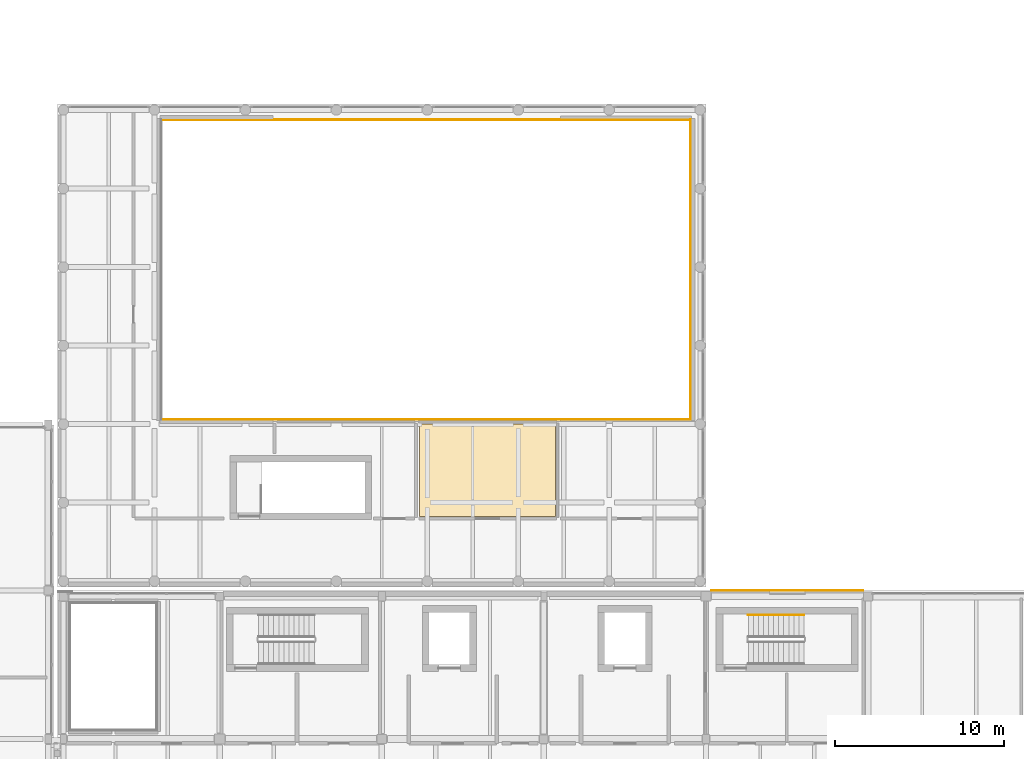
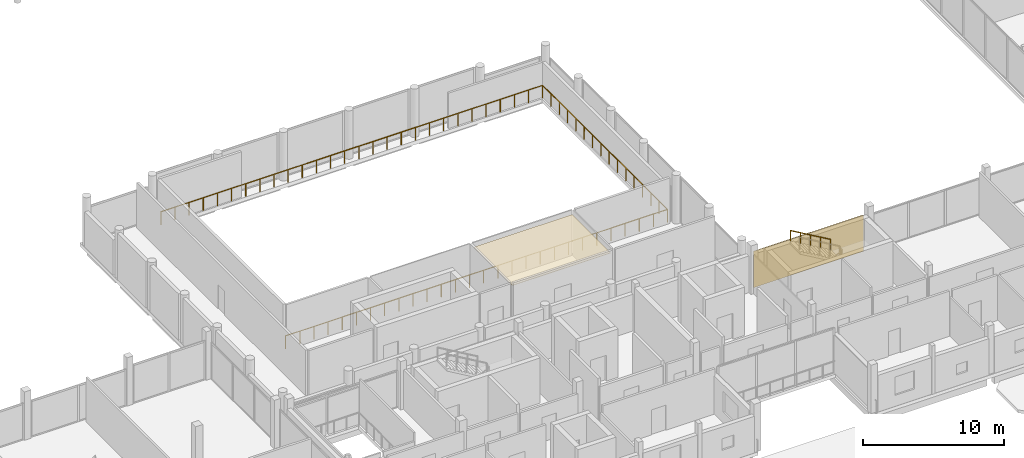
# One storey, part 59 of 66: 4 railings, 2 coverings.
"""IFC4 building model written with IfcOpenShell, lengths in metres."""

from ifc_helpers import new_model, si_unit, direction, frame, origin, origin_2d, place, context, subcontext, project, spatial, polyline, rectangle, circle, outline, extrude, material, layer, layer_set, type_object, element, save


model = new_model("IFC4")

# Units and contexts
model_context = context("Model", 3, precision=1e-05, world=origin(), true_north=direction((0.0, 1.0)))
body_context = subcontext(model_context, "Body", "Model", "MODEL_VIEW")
ifc_project = project(units=[si_unit("LENGTHUNIT", "METRE"), si_unit("AREAUNIT", "SQUARE_METRE"), si_unit("VOLUMEUNIT", "CUBIC_METRE"), si_unit("PLANEANGLEUNIT", "RADIAN"), si_unit("MASSUNIT", "GRAM", prefix="KILO")], contexts=[model_context])

# Site, building, storey
site_placement = place(None, origin())
site = spatial("IfcSite", under=ifc_project, at=site_placement, CompositionType="ELEMENT")
building_placement = place(site_placement, origin())
building = spatial("IfcBuilding", under=site, at=building_placement, Name="Birchvale Park Specialist Clinic", CompositionType="ELEMENT")
storey_placement = place(building_placement, frame((0.0, 0.0, 5.39990234375)))
storey = spatial("IfcBuildingStorey", under=building, at=storey_placement, Name="L01", CompositionType="ELEMENT", Elevation=5.39990234375)

# Coverings
ifc_material_1 = material(Name="Acoustic mineral-fibre wood-wool ceiling", Category="wood")
ifc_layer_1 = layer(ifc_material_1, 0.034912109375)
ifc_layer_set_1 = layer_set([ifc_layer_1], Name="Acoustic mineral-fibre wood-wool ceiling")
covering_type_1 = type_object("IfcCoveringType", Name="COV-CE1", PredefinedType="CEILING", material=ifc_layer_set_1)
covering_1_placement = place(storey_placement, frame((0.0, 0.0, 3.565185546875)))
element("IfcCovering", 1, at=covering_1_placement, inside=storey, type_object=covering_type_1, Name="V1 L01 acoustic clinical ceiling 5", PredefinedType="CEILING", context=body_context, shape_type="SweptSolid", body=[
    extrude(outline(polyline([(73.22998046875, 38.969970703125), (81.294921875, 38.969970703125), (81.294921875, 44.4599609375), (73.22998046875, 44.4599609375), (73.22998046875, 38.969970703125)])), origin(), (0.0, 0.0, 1.0), 0.034912109375),
])
ifc_material_2 = material(Name="Nordic larch vertical rainscreen cladding")
ifc_layer_2 = layer(ifc_material_2, 0.044921875)
ifc_layer_set_2 = layer_set([ifc_layer_2], Name="Nordic larch vertical rainscreen cladding")
covering_type_2 = type_object("IfcCoveringType", Name="COV-CL1", PredefinedType="CLADDING", material=ifc_layer_set_2)
covering_2_placement = place(storey_placement, frame((95.012451171875, 34.6025390625, 0.02001953125), z_axis=(0.0, 0.0, 1.0), x_axis=(-1.0, 0.0, 0.0)))
element("IfcCovering", 2, at=covering_2_placement, inside=storey, type_object=covering_type_2, Name="V4 L01 Nordic larch cladding 11", PredefinedType="CLADDING", context=body_context, shape_type="SweptSolid", body=[
    extrude(rectangle(XDim=9.014892578125, YDim=0.044921875, at=origin_2d()), origin(), (0.0, 0.0, 1.0), 3.14501953125),
])

# Railings
ifc_material_3 = material(Name="Brushed stainless steel and laminated glass balustrade", Category="steel")
railing_type_1 = type_object("IfcRailingType", Name="RL-BAL1", PredefinedType="BALUSTRADE", material=ifc_material_3)
railing_1_placement = place(storey_placement, frame((57.919921875, 44.719970703125, 0.0)))
element("IfcRailing", 3, at=railing_1_placement, inside=storey, type_object=railing_type_1, Name="V1 L01 atrium void balustrade 1", PredefinedType="BALUSTRADE", context=body_context, shape_type="SweptSolid", body=[
    extrude(circle(Radius=0.02392578125, at=origin_2d()), frame((0.0, 0.0, 1.09619140625), z_axis=(1.0, 0.0, 0.0), x_axis=(0.0, 1.0, 0.0)), (0.0, 0.0, 1.0), 31.360107421875),
    extrude(circle(Radius=0.02099609375, at=origin_2d()), origin(), (0.0, 0.0, 1.0), 1.072021484375),
    extrude(circle(Radius=0.02099609375, at=origin_2d()), frame((1.161376953125, 0.0, 0.0)), (0.0, 0.0, 1.0), 1.072021484375),
    extrude(circle(Radius=0.02099609375, at=origin_2d()), frame((2.322998046875, 0.0, 0.0)), (0.0, 0.0, 1.0), 1.072021484375),
    extrude(circle(Radius=0.02099609375, at=origin_2d()), frame((3.484375, 0.0, 0.0)), (0.0, 0.0, 1.0), 1.072021484375),
    extrude(circle(Radius=0.02099609375, at=origin_2d()), frame((4.64599609375, 0.0, 0.0)), (0.0, 0.0, 1.0), 1.072021484375),
    extrude(circle(Radius=0.02099609375, at=origin_2d()), frame((5.807373046875, 0.0, 0.0)), (0.0, 0.0, 1.0), 1.072021484375),
    extrude(circle(Radius=0.02099609375, at=origin_2d()), frame((6.968994140625, 0.0, 0.0)), (0.0, 0.0, 1.0), 1.072021484375),
    extrude(circle(Radius=0.02099609375, at=origin_2d()), frame((8.13037109375, 0.0, 0.0)), (0.0, 0.0, 1.0), 1.072021484375),
    extrude(circle(Radius=0.02099609375, at=origin_2d()), frame((9.2919921875, 0.0, 0.0)), (0.0, 0.0, 1.0), 1.072021484375),
    extrude(circle(Radius=0.02099609375, at=origin_2d()), frame((10.453369140625, 0.0, 0.0)), (0.0, 0.0, 1.0), 1.072021484375),
    extrude(circle(Radius=0.02099609375, at=origin_2d()), frame((11.61474609375, 0.0, 0.0)), (0.0, 0.0, 1.0), 1.072021484375),
    extrude(circle(Radius=0.02099609375, at=origin_2d()), frame((12.7763671875, 0.0, 0.0)), (0.0, 0.0, 1.0), 1.072021484375),
    extrude(circle(Radius=0.02099609375, at=origin_2d()), frame((13.937744140625, 0.0, 0.0)), (0.0, 0.0, 1.0), 1.072021484375),
    extrude(circle(Radius=0.02099609375, at=origin_2d()), frame((15.099365234375, 0.0, 0.0)), (0.0, 0.0, 1.0), 1.072021484375),
    extrude(circle(Radius=0.02099609375, at=origin_2d()), frame((16.2607421875, 0.0, 0.0)), (0.0, 0.0, 1.0), 1.072021484375),
    extrude(circle(Radius=0.02099609375, at=origin_2d()), frame((17.42236328125, 0.0, 0.0)), (0.0, 0.0, 1.0), 1.072021484375),
    extrude(circle(Radius=0.02099609375, at=origin_2d()), frame((18.583740234375, 0.0, 0.0)), (0.0, 0.0, 1.0), 1.072021484375),
    extrude(circle(Radius=0.02099609375, at=origin_2d()), frame((19.745361328125, 0.0, 0.0)), (0.0, 0.0, 1.0), 1.072021484375),
    extrude(circle(Radius=0.02099609375, at=origin_2d()), frame((20.90673828125, 0.0, 0.0)), (0.0, 0.0, 1.0), 1.072021484375),
    extrude(circle(Radius=0.02099609375, at=origin_2d()), frame((22.068115234375, 0.0, 0.0)), (0.0, 0.0, 1.0), 1.072021484375),
    extrude(circle(Radius=0.02099609375, at=origin_2d()), frame((23.229736328125, 0.0, 0.0)), (0.0, 0.0, 1.0), 1.072021484375),
    extrude(circle(Radius=0.02099609375, at=origin_2d()), frame((24.39111328125, 0.0, 0.0)), (0.0, 0.0, 1.0), 1.072021484375),
    extrude(circle(Radius=0.02099609375, at=origin_2d()), frame((25.552734375, 0.0, 0.0)), (0.0, 0.0, 1.0), 1.072021484375),
    extrude(circle(Radius=0.02099609375, at=origin_2d()), frame((26.714111328125, 0.0, 0.0)), (0.0, 0.0, 1.0), 1.072021484375),
    extrude(circle(Radius=0.02099609375, at=origin_2d()), frame((27.875732421875, 0.0, 0.0)), (0.0, 0.0, 1.0), 1.072021484375),
    extrude(circle(Radius=0.02099609375, at=origin_2d()), frame((29.037109375, 0.0, 0.0)), (0.0, 0.0, 1.0), 1.072021484375),
    extrude(circle(Radius=0.02099609375, at=origin_2d()), frame((30.19873046875, 0.0, 0.0)), (0.0, 0.0, 1.0), 1.072021484375),
    extrude(circle(Radius=0.02099609375, at=origin_2d()), frame((31.360107421875, 0.0, 0.0)), (0.0, 0.0, 1.0), 1.072021484375),
])
railing_2_placement = place(storey_placement, frame((89.280029296875, 44.719970703125, 0.0)))
element("IfcRailing", 4, at=railing_2_placement, inside=storey, type_object=railing_type_1, Name="V1 L01 atrium void balustrade 2", PredefinedType="BALUSTRADE", context=body_context, shape_type="SweptSolid", body=[
    extrude(circle(Radius=0.02392578125, at=origin_2d()), frame((0.0, 0.0, 1.09619140625), z_axis=(0.0, 1.0, 0.0), x_axis=(-1.0, 0.0, 0.0)), (0.0, 0.0, 1.0), 17.760009765625),
    extrude(circle(Radius=0.02099609375, at=origin_2d()), origin(), (0.0, 0.0, 1.0), 1.072021484375),
    extrude(circle(Radius=0.02099609375, at=origin_2d()), frame((0.0, 1.18408203125, 0.0)), (0.0, 0.0, 1.0), 1.072021484375),
    extrude(circle(Radius=0.02099609375, at=origin_2d()), frame((0.0, 2.367919921875, 0.0)), (0.0, 0.0, 1.0), 1.072021484375),
    extrude(circle(Radius=0.02099609375, at=origin_2d()), frame((0.0, 3.552001953125, 0.0)), (0.0, 0.0, 1.0), 1.072021484375),
    extrude(circle(Radius=0.02099609375, at=origin_2d()), frame((0.0, 4.736083984375, 0.0)), (0.0, 0.0, 1.0), 1.072021484375),
    extrude(circle(Radius=0.02099609375, at=origin_2d()), frame((0.0, 5.919921875, 0.0)), (0.0, 0.0, 1.0), 1.072021484375),
    extrude(circle(Radius=0.02099609375, at=origin_2d()), frame((0.0, 7.10400390625, 0.0)), (0.0, 0.0, 1.0), 1.072021484375),
    extrude(circle(Radius=0.02099609375, at=origin_2d()), frame((0.0, 8.2880859375, 0.0)), (0.0, 0.0, 1.0), 1.072021484375),
    extrude(circle(Radius=0.02099609375, at=origin_2d()), frame((0.0, 9.471923828125, 0.0)), (0.0, 0.0, 1.0), 1.072021484375),
    extrude(circle(Radius=0.02099609375, at=origin_2d()), frame((0.0, 10.656005859375, 0.0)), (0.0, 0.0, 1.0), 1.072021484375),
    extrude(circle(Radius=0.02099609375, at=origin_2d()), frame((0.0, 11.840087890625, 0.0)), (0.0, 0.0, 1.0), 1.072021484375),
    extrude(circle(Radius=0.02099609375, at=origin_2d()), frame((0.0, 13.02392578125, 0.0)), (0.0, 0.0, 1.0), 1.072021484375),
    extrude(circle(Radius=0.02099609375, at=origin_2d()), frame((0.0, 14.2080078125, 0.0)), (0.0, 0.0, 1.0), 1.072021484375),
    extrude(circle(Radius=0.02099609375, at=origin_2d()), frame((0.0, 15.39208984375, 0.0)), (0.0, 0.0, 1.0), 1.072021484375),
    extrude(circle(Radius=0.02099609375, at=origin_2d()), frame((0.0, 16.575927734375, 0.0)), (0.0, 0.0, 1.0), 1.072021484375),
    extrude(circle(Radius=0.02099609375, at=origin_2d()), frame((0.0, 17.760009765625, 0.0)), (0.0, 0.0, 1.0), 1.072021484375),
])
railing_3_placement = place(storey_placement, frame((89.280029296875, 62.47998046875, 0.0)))
element("IfcRailing", 5, at=railing_3_placement, inside=storey, type_object=railing_type_1, Name="V1 L01 atrium void balustrade 3", PredefinedType="BALUSTRADE", context=body_context, shape_type="SweptSolid", body=[
    extrude(circle(Radius=0.02392578125, at=origin_2d()), frame((0.0, 0.0, 1.09619140625), z_axis=(-1.0, 0.0, 0.0), x_axis=(0.0, -1.0, 0.0)), (0.0, 0.0, 1.0), 31.360107421875),
    extrude(circle(Radius=0.02099609375, at=origin_2d()), origin(), (0.0, 0.0, 1.0), 1.072021484375),
    extrude(circle(Radius=0.02099609375, at=origin_2d()), frame((-1.161376953125, 0.0, 0.0)), (0.0, 0.0, 1.0), 1.072021484375),
    extrude(circle(Radius=0.02099609375, at=origin_2d()), frame((-2.322998046875, 0.0, 0.0)), (0.0, 0.0, 1.0), 1.072021484375),
    extrude(circle(Radius=0.02099609375, at=origin_2d()), frame((-3.484375, 0.0, 0.0)), (0.0, 0.0, 1.0), 1.072021484375),
    extrude(circle(Radius=0.02099609375, at=origin_2d()), frame((-4.64599609375, 0.0, 0.0)), (0.0, 0.0, 1.0), 1.072021484375),
    extrude(circle(Radius=0.02099609375, at=origin_2d()), frame((-5.807373046875, 0.0, 0.0)), (0.0, 0.0, 1.0), 1.072021484375),
    extrude(circle(Radius=0.02099609375, at=origin_2d()), frame((-6.968994140625, 0.0, 0.0)), (0.0, 0.0, 1.0), 1.072021484375),
    extrude(circle(Radius=0.02099609375, at=origin_2d()), frame((-8.13037109375, 0.0, 0.0)), (0.0, 0.0, 1.0), 1.072021484375),
    extrude(circle(Radius=0.02099609375, at=origin_2d()), frame((-9.2919921875, 0.0, 0.0)), (0.0, 0.0, 1.0), 1.072021484375),
    extrude(circle(Radius=0.02099609375, at=origin_2d()), frame((-10.453369140625, 0.0, 0.0)), (0.0, 0.0, 1.0), 1.072021484375),
    extrude(circle(Radius=0.02099609375, at=origin_2d()), frame((-11.61474609375, 0.0, 0.0)), (0.0, 0.0, 1.0), 1.072021484375),
    extrude(circle(Radius=0.02099609375, at=origin_2d()), frame((-12.7763671875, 0.0, 0.0)), (0.0, 0.0, 1.0), 1.072021484375),
    extrude(circle(Radius=0.02099609375, at=origin_2d()), frame((-13.937744140625, 0.0, 0.0)), (0.0, 0.0, 1.0), 1.072021484375),
    extrude(circle(Radius=0.02099609375, at=origin_2d()), frame((-15.099365234375, 0.0, 0.0)), (0.0, 0.0, 1.0), 1.072021484375),
    extrude(circle(Radius=0.02099609375, at=origin_2d()), frame((-16.2607421875, 0.0, 0.0)), (0.0, 0.0, 1.0), 1.072021484375),
    extrude(circle(Radius=0.02099609375, at=origin_2d()), frame((-17.42236328125, 0.0, 0.0)), (0.0, 0.0, 1.0), 1.072021484375),
    extrude(circle(Radius=0.02099609375, at=origin_2d()), frame((-18.583740234375, 0.0, 0.0)), (0.0, 0.0, 1.0), 1.072021484375),
    extrude(circle(Radius=0.02099609375, at=origin_2d()), frame((-19.745361328125, 0.0, 0.0)), (0.0, 0.0, 1.0), 1.072021484375),
    extrude(circle(Radius=0.02099609375, at=origin_2d()), frame((-20.90673828125, 0.0, 0.0)), (0.0, 0.0, 1.0), 1.072021484375),
    extrude(circle(Radius=0.02099609375, at=origin_2d()), frame((-22.068115234375, 0.0, 0.0)), (0.0, 0.0, 1.0), 1.072021484375),
    extrude(circle(Radius=0.02099609375, at=origin_2d()), frame((-23.229736328125, 0.0, 0.0)), (0.0, 0.0, 1.0), 1.072021484375),
    extrude(circle(Radius=0.02099609375, at=origin_2d()), frame((-24.39111328125, 0.0, 0.0)), (0.0, 0.0, 1.0), 1.072021484375),
    extrude(circle(Radius=0.02099609375, at=origin_2d()), frame((-25.552734375, 0.0, 0.0)), (0.0, 0.0, 1.0), 1.072021484375),
    extrude(circle(Radius=0.02099609375, at=origin_2d()), frame((-26.714111328125, 0.0, 0.0)), (0.0, 0.0, 1.0), 1.072021484375),
    extrude(circle(Radius=0.02099609375, at=origin_2d()), frame((-27.875732421875, 0.0, 0.0)), (0.0, 0.0, 1.0), 1.072021484375),
    extrude(circle(Radius=0.02099609375, at=origin_2d()), frame((-29.037109375, 0.0, 0.0)), (0.0, 0.0, 1.0), 1.072021484375),
    extrude(circle(Radius=0.02099609375, at=origin_2d()), frame((-30.19873046875, 0.0, 0.0)), (0.0, 0.0, 1.0), 1.072021484375),
    extrude(circle(Radius=0.02099609375, at=origin_2d()), frame((-31.360107421875, 0.0, 0.0)), (0.0, 0.0, 1.0), 1.072021484375),
])
ifc_material_4 = material(Name="Anodised aluminium handrail", Category="aluminium")
railing_type_2 = type_object("IfcRailingType", Name="RL-HND1", PredefinedType="HANDRAIL", material=ifc_material_4)
railing_4_placement = place(storey_placement, frame((96.0, 33.14990234375, 2.275146484375)))
element("IfcRailing", 6, at=railing_4_placement, inside=storey, type_object=railing_type_2, Name="L01 ST5 stair handrail 2", PredefinedType="HANDRAIL", context=body_context, shape_type="SweptSolid", body=[
    extrude(circle(Radius=0.02392578125, at=origin_2d()), frame((0.0, 0.0, 0.8759765625), z_axis=(-0.863776583165, 0.0, 0.503874998761), x_axis=(0.0, -1.0, 0.0)), (0.0, 0.0, 1.0), 3.820556640625),
    extrude(circle(Radius=0.02099609375, at=origin_2d()), origin(), (0.0, 0.0, 1.0), 0.851806640625),
    extrude(circle(Radius=0.02099609375, at=origin_2d()), frame((-0.824951171875, 0.0, 0.481201171875)), (0.0, 0.0, 1.0), 0.851806640625),
    extrude(circle(Radius=0.02099609375, at=origin_2d()), frame((-1.64990234375, 0.0, 0.96240234375)), (0.0, 0.0, 1.0), 0.851806640625),
    extrude(circle(Radius=0.02099609375, at=origin_2d()), frame((-2.47509765625, 0.0, 1.44384765625)), (0.0, 0.0, 1.0), 0.851806640625),
    extrude(circle(Radius=0.02099609375, at=origin_2d()), frame((-3.300048828125, 0.0, 1.925048828125)), (0.0, 0.0, 1.0), 0.851806640625),
])

save(model, "model.ifc")
